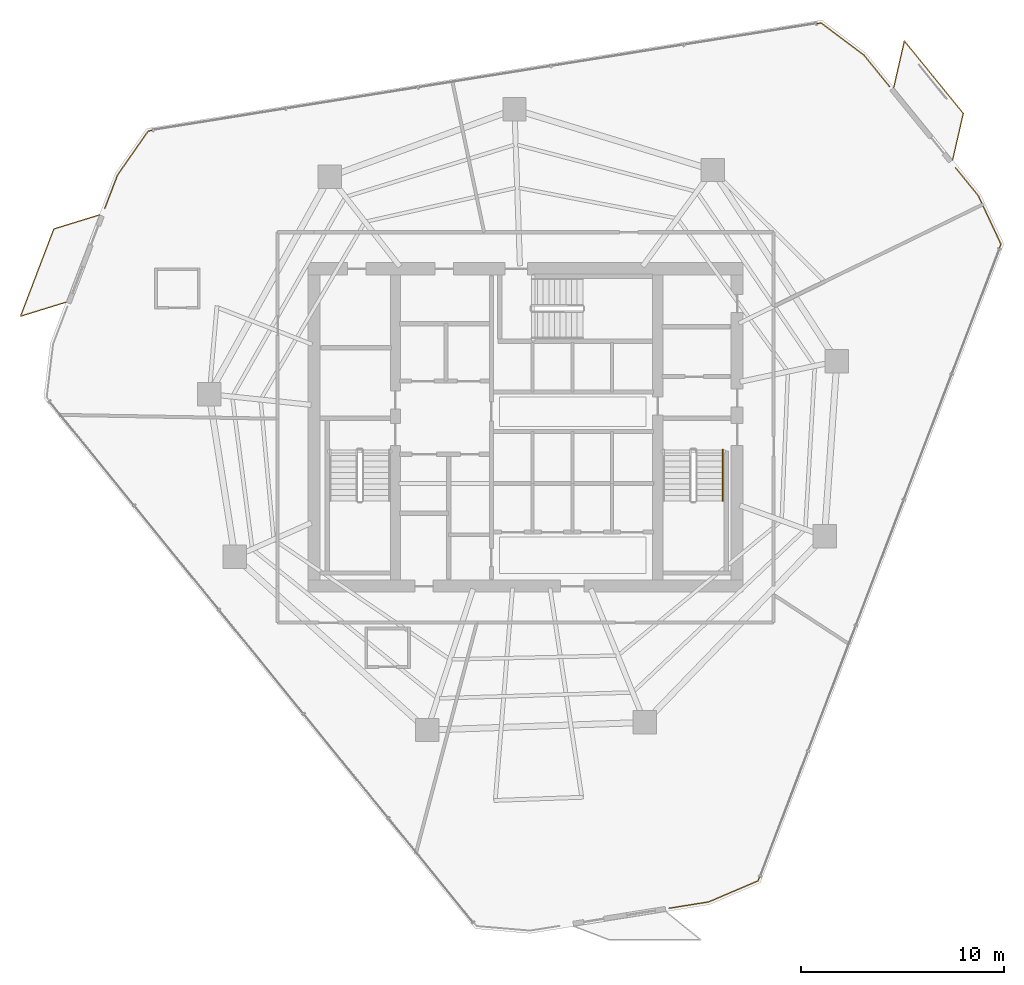
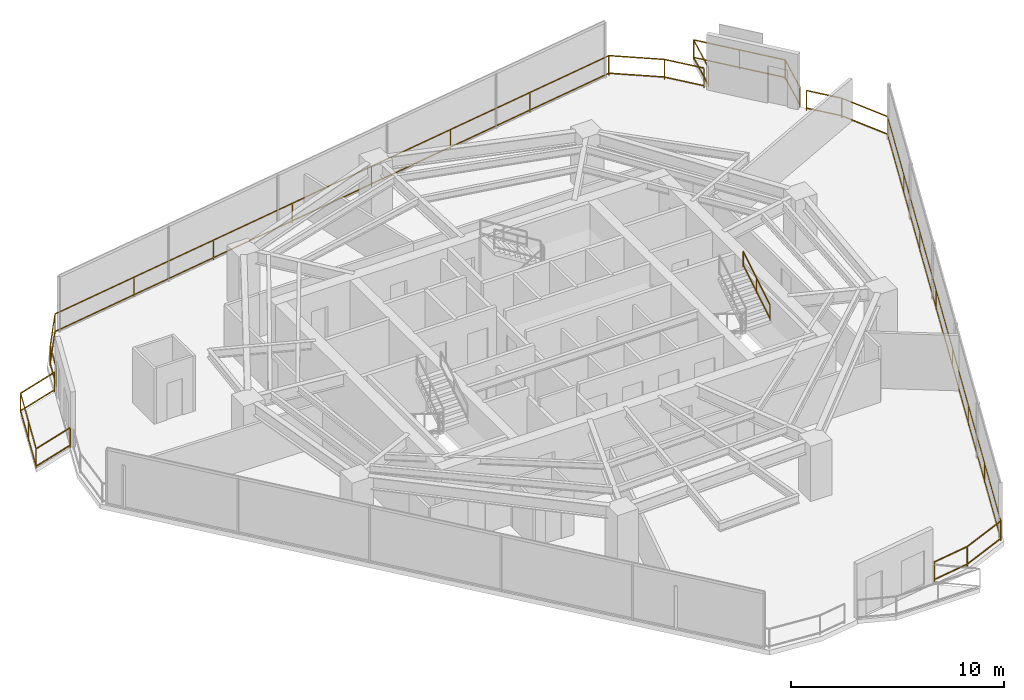
# One storey, part 27 of 27: 6 railings.
"""IFC4 building model written with IfcOpenShell, lengths in metres."""

from ifc_helpers import new_model, si_unit, direction, frame, origin, origin_2d, place, context, subcontext, project, spatial, rectangle, extrude, material, type_object, element, save


model = new_model("IFC4")

# Units and contexts
model_context = context("Model", 3, precision=1e-05, world=origin(), true_north=direction((0.0, 1.0)))
body_context = subcontext(model_context, "Body", "Model", "MODEL_VIEW")
ifc_project = project(units=[si_unit("LENGTHUNIT", "METRE"), si_unit("AREAUNIT", "SQUARE_METRE"), si_unit("VOLUMEUNIT", "CUBIC_METRE"), si_unit("PLANEANGLEUNIT", "RADIAN"), si_unit("MASSUNIT", "GRAM", prefix="KILO")], contexts=[model_context])

# Site, building, storey
site_placement = place(None, origin())
site = spatial("IfcSite", under=ifc_project, at=site_placement, CompositionType="ELEMENT")
building_placement = place(site_placement, origin())
building = spatial("IfcBuilding", under=site, at=building_placement, Name="Qarnah Convention Tower", CompositionType="ELEMENT")
storey_placement = place(building_placement, frame((0.0, 0.0, 100.5)))
storey = spatial("IfcBuildingStorey", under=building, at=storey_placement, Name="L26", CompositionType="ELEMENT", Elevation=100.5)

# Railings
ifc_material_1 = material(Name="Black anodised aluminium", Category="aluminium")
railing_type_1 = type_object("IfcRailingType", Name="RL-EXT-GUARD-1150", PredefinedType="GUARDRAIL", material=ifc_material_1)
railing_1_placement = place(storey_placement, frame((53.843994140625, 44.708984375, 0.0)))
element("IfcRailing", 1, at=railing_1_placement, inside=storey, type_object=railing_type_1, Name="L26 slab-edge perimeter safety guard 01", PredefinedType="GUARDRAIL", context=body_context, shape_type="SweptSolid", body=[
    extrude(rectangle(XDim=0.048095703125, YDim=0.048095703125, at=origin_2d()), frame((0.0, 0.0, 1.1259765625), z_axis=(0.631359503372, -0.775490282017, 0.0), x_axis=(0.775490282017, 0.631359503372, 0.0)), (0.0, 0.0, 1.0), 1.976806640625),
    extrude(rectangle(XDim=0.048095703125, YDim=0.048095703125, at=origin_2d()), frame((0.0, 0.0, 0.1201171875), z_axis=(0.631359503372, -0.775490282017, 0.0), x_axis=(0.775490282017, 0.631359503372, 0.0)), (0.0, 0.0, 1.0), 1.976806640625),
    extrude(rectangle(XDim=0.0419921875, YDim=0.0419921875, at=origin_2d()), origin(), (0.0, 0.0, 1.0), 1.101806640625),
    extrude(rectangle(XDim=0.0419921875, YDim=0.0419921875, at=origin_2d()), frame((1.248046875, -1.532958984375, 0.0)), (0.0, 0.0, 1.0), 1.101806640625),
])
railing_2_placement = place(storey_placement, frame((58.345947265625, 39.174072265625, 0.0)))
element("IfcRailing", 2, at=railing_2_placement, inside=storey, type_object=railing_type_1, Name="L26 slab-edge perimeter safety guard 02", PredefinedType="GUARDRAIL", context=body_context, shape_type="SweptSolid", body=[
    extrude(rectangle(XDim=0.048095703125, YDim=0.048095703125, at=origin_2d()), frame((0.0, 0.0, 1.1259765625), z_axis=(0.631195996935, -0.775623370878, 0.0), x_axis=(0.775623370878, 0.631195996935, 0.0)), (0.0, 0.0, 1.0), 1.766357421875),
    extrude(rectangle(XDim=0.048095703125, YDim=0.048095703125, at=origin_2d()), frame((0.0, 0.0, 0.1201171875), z_axis=(0.631195996935, -0.775623370878, 0.0), x_axis=(0.775623370878, 0.631195996935, 0.0)), (0.0, 0.0, 1.0), 1.766357421875),
    extrude(rectangle(XDim=0.048095703125, YDim=0.048095703125, at=origin_2d()), frame((1.114990234375, -1.3701171875, 1.1259765625), z_axis=(0.424208426199, -0.905564581431, 0.0), x_axis=(0.905564581431, 0.424208426199, 0.0)), (0.0, 0.0, 1.0), 2.635986328125),
    extrude(rectangle(XDim=0.048095703125, YDim=0.048095703125, at=origin_2d()), frame((1.114990234375, -1.3701171875, 0.1201171875), z_axis=(0.424208426199, -0.905564581431, 0.0), x_axis=(0.905564581431, 0.424208426199, 0.0)), (0.0, 0.0, 1.0), 2.635986328125),
    extrude(rectangle(XDim=0.048095703125, YDim=0.048095703125, at=origin_2d()), frame((2.233154296875, -3.757080078125, 1.1259765625), z_axis=(-0.356410529696, -0.934329457056, 0.0), x_axis=(0.934329457056, -0.356410529696, 0.0)), (0.0, 0.0, 1.0), 33.5205078125),
    extrude(rectangle(XDim=0.048095703125, YDim=0.048095703125, at=origin_2d()), frame((2.233154296875, -3.757080078125, 0.1201171875), z_axis=(-0.356410529696, -0.934329457056, 0.0), x_axis=(0.934329457056, -0.356410529696, 0.0)), (0.0, 0.0, 1.0), 33.5205078125),
    extrude(rectangle(XDim=0.048095703125, YDim=0.048095703125, at=origin_2d()), frame((-9.7138671875, -35.076171875, 1.1259765625), z_axis=(-0.919824084771, -0.392331050358, 0.0), x_axis=(0.392331050358, -0.919824084771, 0.0)), (0.0, 0.0, 1.0), 2.63525390625),
    extrude(rectangle(XDim=0.048095703125, YDim=0.048095703125, at=origin_2d()), frame((-9.7138671875, -35.076171875, 0.1201171875), z_axis=(-0.919824084771, -0.392331050358, 0.0), x_axis=(0.392331050358, -0.919824084771, 0.0)), (0.0, 0.0, 1.0), 2.63525390625),
    extrude(rectangle(XDim=0.048095703125, YDim=0.048095703125, at=origin_2d()), frame((-12.137939453125, -36.110107421875, 1.1259765625), z_axis=(-0.987296821071, -0.158886711538, 0.0), x_axis=(0.158886711538, -0.987296821071, 0.0)), (0.0, 0.0, 1.0), 1.97607421875),
    extrude(rectangle(XDim=0.048095703125, YDim=0.048095703125, at=origin_2d()), frame((-12.137939453125, -36.110107421875, 0.1201171875), z_axis=(-0.987296821071, -0.158886711538, 0.0), x_axis=(0.158886711538, -0.987296821071, 0.0)), (0.0, 0.0, 1.0), 1.97607421875),
    extrude(rectangle(XDim=0.0419921875, YDim=0.0419921875, at=origin_2d()), origin(), (0.0, 0.0, 1.0), 1.101806640625),
    extrude(rectangle(XDim=0.0419921875, YDim=0.0419921875, at=origin_2d()), frame((1.114990234375, -1.3701171875, 0.0)), (0.0, 0.0, 1.0), 1.101806640625),
    extrude(rectangle(XDim=0.0419921875, YDim=0.0419921875, at=origin_2d()), frame((2.233154296875, -3.757080078125, 0.0)), (0.0, 0.0, 1.0), 1.101806640625),
    extrude(rectangle(XDim=0.0419921875, YDim=0.0419921875, at=origin_2d()), frame((0.5263671875, -8.231201171875, 0.0)), (0.0, 0.0, 1.0), 1.101806640625),
    extrude(rectangle(XDim=0.0419921875, YDim=0.0419921875, at=origin_2d()), frame((-1.18017578125, -12.705322265625, 0.0)), (0.0, 0.0, 1.0), 1.101806640625),
    extrude(rectangle(XDim=0.0419921875, YDim=0.0419921875, at=origin_2d()), frame((-2.886962890625, -17.179443359375, 0.0)), (0.0, 0.0, 1.0), 1.101806640625),
    extrude(rectangle(XDim=0.0419921875, YDim=0.0419921875, at=origin_2d()), frame((-4.59375, -21.65380859375, 0.0)), (0.0, 0.0, 1.0), 1.101806640625),
    extrude(rectangle(XDim=0.0419921875, YDim=0.0419921875, at=origin_2d()), frame((-6.300537109375, -26.1279296875, 0.0)), (0.0, 0.0, 1.0), 1.101806640625),
    extrude(rectangle(XDim=0.0419921875, YDim=0.0419921875, at=origin_2d()), frame((-8.007080078125, -30.60205078125, 0.0)), (0.0, 0.0, 1.0), 1.101806640625),
    extrude(rectangle(XDim=0.0419921875, YDim=0.0419921875, at=origin_2d()), frame((-9.7138671875, -35.076171875, 0.0)), (0.0, 0.0, 1.0), 1.101806640625),
    extrude(rectangle(XDim=0.0419921875, YDim=0.0419921875, at=origin_2d()), frame((-12.137939453125, -36.110107421875, 0.0)), (0.0, 0.0, 1.0), 1.101806640625),
    extrude(rectangle(XDim=0.0419921875, YDim=0.0419921875, at=origin_2d()), frame((-14.0888671875, -36.424072265625, 0.0)), (0.0, 0.0, 1.0), 1.101806640625),
])
railing_3_placement = place(storey_placement, frame((16.501953125, 37.166015625, 0.0)))
element("IfcRailing", 3, at=railing_3_placement, inside=storey, type_object=railing_type_1, Name="L26 slab-edge perimeter safety guard 04", PredefinedType="GUARDRAIL", context=body_context, shape_type="SweptSolid", body=[
    extrude(rectangle(XDim=0.048095703125, YDim=0.048095703125, at=origin_2d()), frame((0.0, 0.0, 1.1259765625), z_axis=(0.356782726086, 0.934187393603, 0.0), x_axis=(-0.934187393603, 0.356782726086, 0.0)), (0.0, 0.0, 1.0), 1.76611328125),
    extrude(rectangle(XDim=0.048095703125, YDim=0.048095703125, at=origin_2d()), frame((0.0, 0.0, 0.1201171875), z_axis=(0.356782726086, 0.934187393603, 0.0), x_axis=(-0.934187393603, 0.356782726086, 0.0)), (0.0, 0.0, 1.0), 1.76611328125),
    extrude(rectangle(XDim=0.048095703125, YDim=0.048095703125, at=origin_2d()), frame((0.630126953125, 1.64990234375, 1.1259765625), z_axis=(0.572019323451, 0.82024014386, 0.0), x_axis=(-0.82024014386, 0.572019323451, 0.0)), (0.0, 0.0, 1.0), 2.635986328125),
    extrude(rectangle(XDim=0.048095703125, YDim=0.048095703125, at=origin_2d()), frame((0.630126953125, 1.64990234375, 0.1201171875), z_axis=(0.572019323451, 0.82024014386, 0.0), x_axis=(-0.82024014386, 0.572019323451, 0.0)), (0.0, 0.0, 1.0), 2.635986328125),
    extrude(rectangle(XDim=0.048095703125, YDim=0.048095703125, at=origin_2d()), frame((2.137939453125, 3.81201171875, 1.1259765625), z_axis=(0.98735859739, 0.158502366418, 0.0), x_axis=(-0.158502366418, 0.98735859739, 0.0)), (0.0, 0.0, 1.0), 33.52001953125),
    extrude(rectangle(XDim=0.048095703125, YDim=0.048095703125, at=origin_2d()), frame((2.137939453125, 3.81201171875, 0.1201171875), z_axis=(0.98735859739, 0.158502366418, 0.0), x_axis=(-0.158502366418, 0.98735859739, 0.0)), (0.0, 0.0, 1.0), 33.52001953125),
    extrude(rectangle(XDim=0.048095703125, YDim=0.048095703125, at=origin_2d()), frame((35.234130859375, 9.125, 1.1259765625), z_axis=(0.799799866599, -0.60026675186, 0.0), x_axis=(0.60026675186, 0.799799866599, 0.0)), (0.0, 0.0, 1.0), 2.635498046875),
    extrude(rectangle(XDim=0.048095703125, YDim=0.048095703125, at=origin_2d()), frame((35.234130859375, 9.125, 0.1201171875), z_axis=(0.799799866599, -0.60026675186, 0.0), x_axis=(0.60026675186, 0.799799866599, 0.0)), (0.0, 0.0, 1.0), 2.635498046875),
    extrude(rectangle(XDim=0.0419921875, YDim=0.0419921875, at=origin_2d()), origin(), (0.0, 0.0, 1.0), 1.101806640625),
    extrude(rectangle(XDim=0.0419921875, YDim=0.0419921875, at=origin_2d()), frame((0.630126953125, 1.64990234375, 0.0)), (0.0, 0.0, 1.0), 1.101806640625),
    extrude(rectangle(XDim=0.0419921875, YDim=0.0419921875, at=origin_2d()), frame((2.137939453125, 3.81201171875, 0.0)), (0.0, 0.0, 1.0), 1.101806640625),
    extrude(rectangle(XDim=0.0419921875, YDim=0.0419921875, at=origin_2d()), frame((6.865966796875, 4.571044921875, 0.0)), (0.0, 0.0, 1.0), 1.101806640625),
    extrude(rectangle(XDim=0.0419921875, YDim=0.0419921875, at=origin_2d()), frame((11.593994140625, 5.330078125, 0.0)), (0.0, 0.0, 1.0), 1.101806640625),
    extrude(rectangle(XDim=0.0419921875, YDim=0.0419921875, at=origin_2d()), frame((16.322021484375, 6.089111328125, 0.0)), (0.0, 0.0, 1.0), 1.101806640625),
    extrude(rectangle(XDim=0.0419921875, YDim=0.0419921875, at=origin_2d()), frame((21.050048828125, 6.847900390625, 0.0)), (0.0, 0.0, 1.0), 1.101806640625),
    extrude(rectangle(XDim=0.0419921875, YDim=0.0419921875, at=origin_2d()), frame((25.778076171875, 7.60693359375, 0.0)), (0.0, 0.0, 1.0), 1.101806640625),
    extrude(rectangle(XDim=0.0419921875, YDim=0.0419921875, at=origin_2d()), frame((30.506103515625, 8.365966796875, 0.0)), (0.0, 0.0, 1.0), 1.101806640625),
    extrude(rectangle(XDim=0.0419921875, YDim=0.0419921875, at=origin_2d()), frame((35.234130859375, 9.125, 0.0)), (0.0, 0.0, 1.0), 1.101806640625),
    extrude(rectangle(XDim=0.0419921875, YDim=0.0419921875, at=origin_2d()), frame((37.342041015625, 7.54296875, 0.0)), (0.0, 0.0, 1.0), 1.101806640625),
])
railing_4_placement = place(storey_placement, frame((55.305908203125, 43.1259765625, 0.0)))
element("IfcRailing", 4, at=railing_4_placement, inside=storey, type_object=railing_type_1, Name="L26 balcony safety guard BAL-L26-C1", PredefinedType="GUARDRAIL", context=body_context, shape_type="SweptSolid", body=[
    extrude(rectangle(XDim=0.048095703125, YDim=0.048095703125, at=origin_2d()), frame((0.0, 0.0, 1.1259765625), z_axis=(0.222816331926, 0.974860442436, 0.0), x_axis=(-0.974860442436, 0.222816331926, 0.0)), (0.0, 0.0, 1.0), 2.34814453125),
    extrude(rectangle(XDim=0.048095703125, YDim=0.048095703125, at=origin_2d()), frame((0.0, 0.0, 0.1201171875), z_axis=(0.222816331926, 0.974860442436, 0.0), x_axis=(-0.974860442436, 0.222816331926, 0.0)), (0.0, 0.0, 1.0), 2.34814453125),
    extrude(rectangle(XDim=0.048095703125, YDim=0.048095703125, at=origin_2d()), frame((0.523193359375, 2.2890625, 1.1259765625), z_axis=(0.630850347861, -0.77590452931, 0.0), x_axis=(0.77590452931, 0.630850347861, 0.0)), (0.0, 0.0, 1.0), 4.599853515625),
    extrude(rectangle(XDim=0.048095703125, YDim=0.048095703125, at=origin_2d()), frame((0.523193359375, 2.2890625, 0.1201171875), z_axis=(0.630850347861, -0.77590452931, 0.0), x_axis=(0.77590452931, 0.630850347861, 0.0)), (0.0, 0.0, 1.0), 4.599853515625),
    extrude(rectangle(XDim=0.048095703125, YDim=0.048095703125, at=origin_2d()), frame((3.425048828125, -1.280029296875, 1.1259765625), z_axis=(-0.222830450871, -0.97485721527, 0.0), x_axis=(0.97485721527, -0.222830450871, 0.0)), (0.0, 0.0, 1.0), 2.346923828125),
    extrude(rectangle(XDim=0.048095703125, YDim=0.048095703125, at=origin_2d()), frame((3.425048828125, -1.280029296875, 0.1201171875), z_axis=(-0.222830450871, -0.97485721527, 0.0), x_axis=(0.97485721527, -0.222830450871, 0.0)), (0.0, 0.0, 1.0), 2.346923828125),
    extrude(rectangle(XDim=0.0419921875, YDim=0.0419921875, at=origin_2d()), origin(), (0.0, 0.0, 1.0), 1.101806640625),
    extrude(rectangle(XDim=0.0419921875, YDim=0.0419921875, at=origin_2d()), frame((0.523193359375, 2.2890625, 0.0)), (0.0, 0.0, 1.0), 1.101806640625),
    extrude(rectangle(XDim=0.0419921875, YDim=0.0419921875, at=origin_2d()), frame((1.97412109375, 0.50439453125, 0.0)), (0.0, 0.0, 1.0), 1.101806640625),
    extrude(rectangle(XDim=0.0419921875, YDim=0.0419921875, at=origin_2d()), frame((3.425048828125, -1.280029296875, 0.0)), (0.0, 0.0, 1.0), 1.101806640625),
    extrude(rectangle(XDim=0.0419921875, YDim=0.0419921875, at=origin_2d()), frame((2.902099609375, -3.56787109375, 0.0)), (0.0, 0.0, 1.0), 1.101806640625),
])
railing_5_placement = place(storey_placement, frame((14.60009765625, 32.556884765625, 0.0)))
element("IfcRailing", 5, at=railing_5_placement, inside=storey, type_object=railing_type_1, Name="L26 balcony safety guard BAL-L26-C2", PredefinedType="GUARDRAIL", context=body_context, shape_type="SweptSolid", body=[
    extrude(rectangle(XDim=0.048095703125, YDim=0.048095703125, at=origin_2d()), frame((0.0, 0.0, 1.1259765625), z_axis=(-0.955729537276, -0.294246582952, 0.0), x_axis=(0.294246582952, -0.955729537276, 0.0)), (0.0, 0.0, 1.0), 2.34814453125),
    extrude(rectangle(XDim=0.048095703125, YDim=0.048095703125, at=origin_2d()), frame((0.0, 0.0, 0.1201171875), z_axis=(-0.955729537276, -0.294246582952, 0.0), x_axis=(0.294246582952, -0.955729537276, 0.0)), (0.0, 0.0, 1.0), 2.34814453125),
    extrude(rectangle(XDim=0.048095703125, YDim=0.048095703125, at=origin_2d()), frame((-2.244140625, -0.69091796875, 1.1259765625), z_axis=(0.356520501191, 0.934287499772, 0.0), x_axis=(-0.934287499772, 0.356520501191, 0.0)), (0.0, 0.0, 1.0), 4.600341796875),
    extrude(rectangle(XDim=0.048095703125, YDim=0.048095703125, at=origin_2d()), frame((-2.244140625, -0.69091796875, 0.1201171875), z_axis=(0.356520501191, 0.934287499772, 0.0), x_axis=(-0.934287499772, 0.356520501191, 0.0)), (0.0, 0.0, 1.0), 4.600341796875),
    extrude(rectangle(XDim=0.048095703125, YDim=0.048095703125, at=origin_2d()), frame((-0.60400390625, 3.607177734375, 1.1259765625), z_axis=(0.955720533751, 0.29427582532, 0.0), x_axis=(-0.29427582532, 0.955720533751, 0.0)), (0.0, 0.0, 1.0), 2.347900390625),
    extrude(rectangle(XDim=0.048095703125, YDim=0.048095703125, at=origin_2d()), frame((-0.60400390625, 3.607177734375, 0.1201171875), z_axis=(0.955720533751, 0.29427582532, 0.0), x_axis=(-0.29427582532, 0.955720533751, 0.0)), (0.0, 0.0, 1.0), 2.347900390625),
    extrude(rectangle(XDim=0.0419921875, YDim=0.0419921875, at=origin_2d()), origin(), (0.0, 0.0, 1.0), 1.101806640625),
    extrude(rectangle(XDim=0.0419921875, YDim=0.0419921875, at=origin_2d()), frame((-2.244140625, -0.69091796875, 0.0)), (0.0, 0.0, 1.0), 1.101806640625),
    extrude(rectangle(XDim=0.0419921875, YDim=0.0419921875, at=origin_2d()), frame((-1.424072265625, 1.4580078125, 0.0)), (0.0, 0.0, 1.0), 1.101806640625),
    extrude(rectangle(XDim=0.0419921875, YDim=0.0419921875, at=origin_2d()), frame((-0.60400390625, 3.607177734375, 0.0)), (0.0, 0.0, 1.0), 1.101806640625),
    extrude(rectangle(XDim=0.0419921875, YDim=0.0419921875, at=origin_2d()), frame((1.639892578125, 4.298095703125, 0.0)), (0.0, 0.0, 1.0), 1.101806640625),
])
ifc_material_2 = material(Name="Structural steel S355JR", Category="steel")
railing_type_2 = type_object("IfcRailingType", Name="RL-STAIR-HAND-900", PredefinedType="HANDRAIL", material=ifc_material_2)
railing_6_placement = place(storey_placement, frame((46.89990234375, 22.780029296875, 1.8974609375)))
element("IfcRailing", 6, at=railing_6_placement, inside=storey, type_object=railing_type_2, Name="L26 ST-2 stair handrail 2", PredefinedType="HANDRAIL", context=body_context, shape_type="SweptSolid", body=[
    extrude(rectangle(XDim=0.048095703125, YDim=0.048095703125, at=origin_2d()), frame((0.0, 0.0, 0.8759765625), z_axis=(0.0, 0.851400495292, 0.524516154772), x_axis=(-1.0, 0.0, 0.0)), (0.0, 0.0, 1.0), 2.9599609375),
    extrude(rectangle(XDim=0.048095703125, YDim=0.048095703125, at=origin_2d()), frame((0.0, 0.0, 0.1201171875), z_axis=(0.0, 0.851400495292, 0.524516154772), x_axis=(-1.0, 0.0, 0.0)), (0.0, 0.0, 1.0), 2.9599609375),
    extrude(rectangle(XDim=0.0419921875, YDim=0.0419921875, at=origin_2d()), origin(), (0.0, 0.0, 1.0), 0.851806640625),
    extrude(rectangle(XDim=0.0419921875, YDim=0.0419921875, at=origin_2d()), frame((0.0, 1.260009765625, 0.7763671875)), (0.0, 0.0, 1.0), 0.851806640625),
    extrude(rectangle(XDim=0.0419921875, YDim=0.0419921875, at=origin_2d()), frame((0.0, 2.52001953125, 1.552490234375)), (0.0, 0.0, 1.0), 0.851806640625),
])

save(model, "model.ifc")
